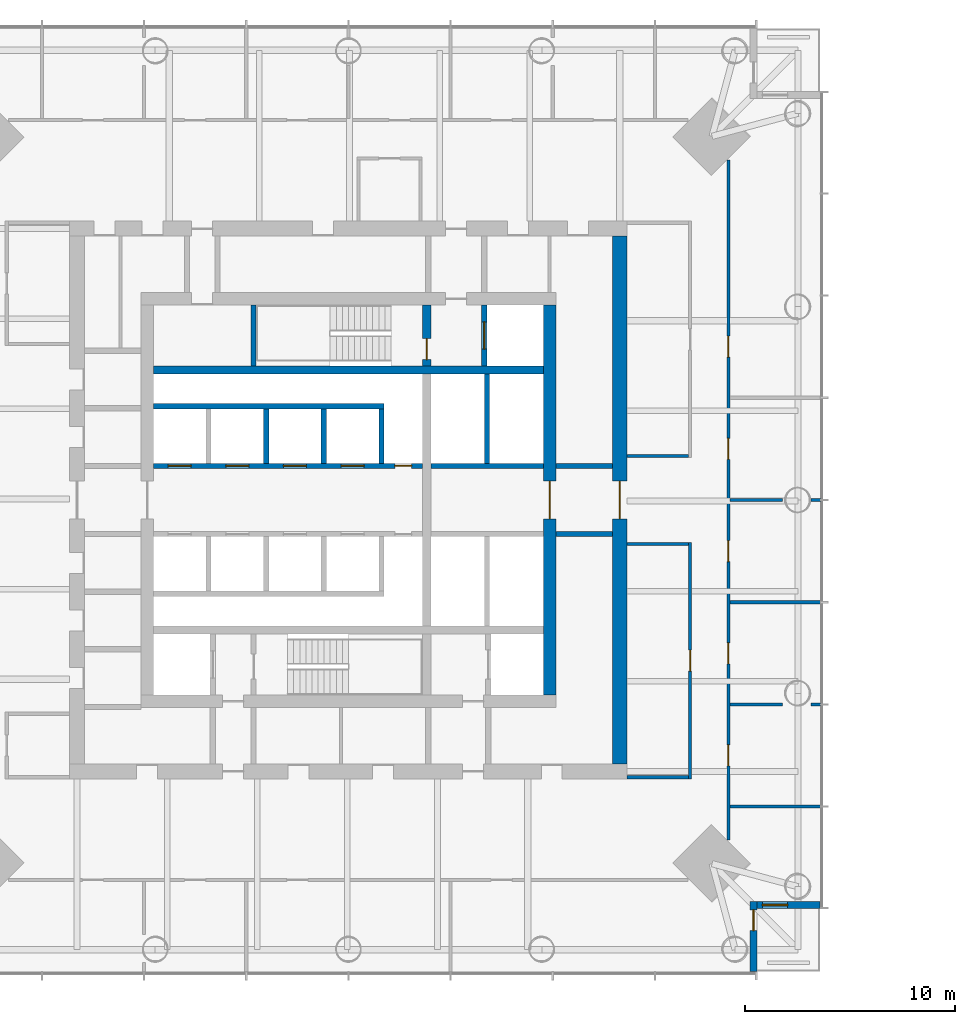
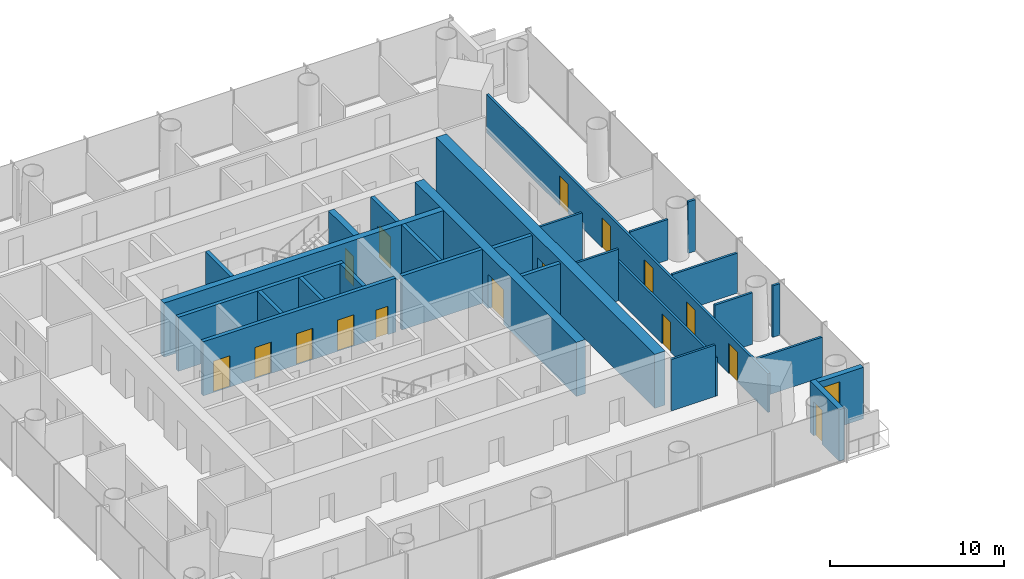
# One storey, part 10 of 20: 28 walls, 16 doors, 1 window, 17 openings.
"""IFC4 building model written with IfcOpenShell, lengths in metres."""

from ifc_helpers import new_model, si_unit, direction, frame, frame_2d, origin, place, context, subcontext, project, spatial, rectangle, extrude, material, layer, layer_set, type_object, element, fill, save


model = new_model("IFC4")

# Units and contexts
model_context = context("Model", 3, precision=1e-05, world=origin(), true_north=direction((0.0, 1.0)))
body_context = subcontext(model_context, "Body", "Model", "MODEL_VIEW")
ifc_project = project(units=[si_unit("LENGTHUNIT", "METRE"), si_unit("AREAUNIT", "SQUARE_METRE"), si_unit("VOLUMEUNIT", "CUBIC_METRE"), si_unit("PLANEANGLEUNIT", "RADIAN"), si_unit("MASSUNIT", "GRAM", prefix="KILO")], contexts=[model_context])

# Site, building, storey
site_placement = place(None, origin())
site = spatial("IfcSite", under=ifc_project, at=site_placement, CompositionType="ELEMENT")
building_placement = place(site_placement, origin())
building = spatial("IfcBuilding", under=site, at=building_placement, Name="Ostroluk Exchange", CompositionType="ELEMENT")
storey_placement = place(building_placement, frame((0.0, 0.0, 100.800048828125)))
storey = spatial("IfcBuildingStorey", under=building, at=storey_placement, Name="L25", CompositionType="ELEMENT", Elevation=100.800048828125)

# Walls
ifc_material_1 = material(Name="Concrete blockwork", Category="masonry")
ifc_layer_1 = layer(ifc_material_1, 0.25)
ifc_layer_set_1 = layer_set([ifc_layer_1], Name="Blockwork stair enclosure wall 250")
wall_type_1 = type_object("IfcWallType", Name="Blockwork stair enclosure wall 250", PredefinedType="SOLIDWALL", material=ifc_layer_set_1)
for number, where, z_axis, x_axis, name in (
    (1, (54.89990234375, 44.375, 0.0), (0.0, 0.0, 1.0), (1.0, 0.0, 0.0), "Lift lobby enclosure wall"),
    (2, (54.89990234375, 47.625, 0.0), (0.0, 0.0, 1.0), (1.0, 0.0, 0.0), "Lift lobby enclosure wall"),
):
    element("IfcWall", number, at=place(storey_placement, frame(where, z_axis=z_axis, x_axis=x_axis)), inside=storey, type_object=wall_type_1, Name=name, PredefinedType="SOLIDWALL", context=body_context, shape_type="SweptSolid", body=[
        extrude(rectangle(XDim=2.7001953125, YDim=0.25, at=frame_2d((1.35009765625, 0.0))), origin(), (0.0, 0.0, 1.0), 3.619873046875),
    ])
ifc_material_2 = material(Name="Concrete C50/60", Category="concrete")
ifc_layer_2 = layer(ifc_material_2, 0.39990234375)
ifc_layer_set_2 = layer_set([ifc_layer_2], Name="Core cross wall 400 C50/60")
wall_type_2 = type_object("IfcWallType", Name="Core cross wall 400 C50/60", PredefinedType="SHEAR", material=ifc_layer_set_2)
wall_1_placement = place(storey_placement, frame((35.699951171875, 52.199951171875, 0.0), z_axis=(0.0, 0.0, 1.0), x_axis=(1.0, 0.0, 0.0)))
element("IfcWall", 3, at=wall_1_placement, inside=storey, type_object=wall_type_2, Name="T1 core wall XN", PredefinedType="SHEAR", context=body_context, shape_type="SweptSolid", body=[
    extrude(rectangle(XDim=18.60009765625, YDim=0.39990234375, at=frame_2d((9.300048828125, 0.0))), origin(), (0.0, 0.0, 1.0), 3.800048828125),
])

# Wall, opening, door
wall_2_placement = place(storey_placement, frame((48.72998046875, 52.39990234375, 0.0), z_axis=(0.0, 0.0, 1.0), x_axis=(0.0, 1.0, 0.0)))
wall_2 = element("IfcWall", 4, at=wall_2_placement, inside=storey, type_object=wall_type_2, Name="T1 core wall YE3", PredefinedType="SHEAR", context=body_context, shape_type="SweptSolid", body=[
    extrude(rectangle(XDim=2.900146484375, YDim=0.39990234375, at=frame_2d((1.4501953125, 0.0))), origin(), (0.0, 0.0, 1.0), 3.800048828125),
])
opening_1_placement = place(wall_2_placement, frame((0.300048828125, 0.0, 0.0)))
opening_1 = element("IfcOpeningElement", 5, at=opening_1_placement, cuts=wall_2, Name="Opening FD60", PredefinedType="OPENING", context=body_context, shape_type="SweptSolid", body=[
    extrude(rectangle(XDim=1.0, YDim=2.10009765625, at=frame_2d((0.5, 1.050048828125))), frame((0.0, 0.2099609375, 0.0), z_axis=(0.0, -1.0, 0.0), x_axis=(1.0, 0.0, 0.0)), (0.0, 0.0, 1.0), 0.419921875),
])
ifc_material_3 = material(Name="Steel", Category="steel")
door_type_1 = type_object("IfcDoorType", Name="Fire door EI 60 1000 x 2100", OperationType="SINGLE_SWING_LEFT", PredefinedType="DOOR", material=ifc_material_3)
door_1_placement = place(opening_1_placement, origin())
door_1 = element("IfcDoor", 6, at=door_1_placement, inside=storey, type_object=door_type_1, Name="Stair T1-S2 door", OperationType="SINGLE_SWING_LEFT", OverallHeight=2.10009765625, OverallWidth=1.0, PredefinedType="DOOR", context=body_context, shape_type="SweptSolid", body=[
    extrude(rectangle(XDim=1.0, YDim=2.10009765625, at=frame_2d((0.5, 1.050048828125))), frame((0.0, 0.02490234375, 0.0), z_axis=(0.0, -1.0, 0.0), x_axis=(1.0, 0.0, 0.0)), (0.0, 0.0, 1.0), 0.050048828125),
])
fill(opening_1, door_1)

# Wall
ifc_material_4 = material(Name="Concrete C40/50", Category="concrete")
ifc_layer_3 = layer(ifc_material_4, 0.25)
ifc_layer_set_3 = layer_set([ifc_layer_3], Name="Core shaft wall 250")
wall_type_3 = type_object("IfcWallType", Name="Core shaft wall 250", PredefinedType="SHEAR", material=ifc_layer_set_3)
wall_3_placement = place(storey_placement, frame((40.47509765625, 52.39990234375, 0.0), z_axis=(0.0, 0.0, 1.0), x_axis=(0.0, 1.0, 0.0)))
element("IfcWall", 7, at=wall_3_placement, inside=storey, type_object=wall_type_3, Name="Stair shaft wall", PredefinedType="SHEAR", context=body_context, shape_type="SweptSolid", body=[
    extrude(rectangle(XDim=2.900146484375, YDim=0.25, at=frame_2d((1.4501953125, 0.0))), origin(), (0.0, 0.0, 1.0), 3.800048828125),
])

# Wall, opening, door
wall_4_placement = place(storey_placement, frame((51.47509765625, 52.39990234375, 0.0), z_axis=(0.0, 0.0, 1.0), x_axis=(0.0, 1.0, 0.0)))
wall_4 = element("IfcWall", 8, at=wall_4_placement, inside=storey, type_object=wall_type_3, Name="Firefighting lift shaft wall", PredefinedType="SHEAR", context=body_context, shape_type="SweptSolid", body=[
    extrude(rectangle(XDim=2.900146484375, YDim=0.25, at=frame_2d((1.4501953125, 0.0))), origin(), (0.0, 0.0, 1.0), 3.800048828125),
])
opening_2_placement = place(wall_4_placement, frame((0.800048828125, 0.0, 0.0)))
opening_2 = element("IfcOpeningElement", 9, at=opening_2_placement, cuts=wall_4, Name="Opening LD2", PredefinedType="OPENING", context=body_context, shape_type="SweptSolid", body=[
    extrude(rectangle(XDim=1.300048828125, YDim=2.199951171875, at=frame_2d((0.64990234375, 1.10009765625))), frame((0.0, 0.135009765625, 0.0), z_axis=(0.0, -1.0, 0.0), x_axis=(1.0, 0.0, 0.0)), (0.0, 0.0, 1.0), 0.27001953125),
])
ifc_material_5 = material(Name="Stainless steel", Category="steel")
door_type_2 = type_object("IfcDoorType", Name="Lift landing door E 60 1300 x 2200", OperationType="DOUBLE_DOOR_SLIDING", PredefinedType="DOOR", material=ifc_material_5)
door_2_placement = place(opening_2_placement, origin())
door_2 = element("IfcDoor", 10, at=door_2_placement, inside=storey, type_object=door_type_2, Name="Lift FL2 landing door", OperationType="DOUBLE_DOOR_SLIDING", OverallHeight=2.199951171875, OverallWidth=1.300048828125, PredefinedType="DOOR", context=body_context, shape_type="SweptSolid", body=[
    extrude(rectangle(XDim=1.300048828125, YDim=2.199951171875, at=frame_2d((0.64990234375, 1.10009765625))), frame((0.0, 0.02490234375, 0.0), z_axis=(0.0, -1.0, 0.0), x_axis=(1.0, 0.0, 0.0)), (0.0, 0.0, 1.0), 0.050048828125),
])
fill(opening_2, door_2)

# Walls
for number, where, z_axis, x_axis, name in (
    (11, (41.074951171875, 47.75, 0.0), (0.0, 0.0, 1.0), (0.0, 1.0, 0.0), "Lift shaft wall"),
    (12, (43.824951171875, 47.75, 0.0), (0.0, 0.0, 1.0), (0.0, 1.0, 0.0), "Lift shaft wall"),
    (13, (46.574951171875, 47.75, 0.0), (0.0, 0.0, 1.0), (0.0, 1.0, 0.0), "Lift shaft wall"),
):
    element("IfcWall", number, at=place(storey_placement, frame(where, z_axis=z_axis, x_axis=x_axis)), inside=storey, type_object=wall_type_3, Name=name, PredefinedType="SHEAR", context=body_context, shape_type="SweptSolid", body=[
        extrude(rectangle(XDim=2.60009765625, YDim=0.25, at=frame_2d((1.300048828125, 0.0))), origin(), (0.0, 0.0, 1.0), 3.800048828125),
    ])
wall_5_placement = place(storey_placement, frame((35.699951171875, 50.47509765625, 0.0), z_axis=(0.0, 0.0, 1.0), x_axis=(1.0, 0.0, 0.0)))
element("IfcWall", 14, at=wall_5_placement, inside=storey, type_object=wall_type_3, Name="Lift shaft wall", PredefinedType="SHEAR", context=body_context, shape_type="SweptSolid", body=[
    extrude(rectangle(XDim=11.0, YDim=0.25, at=frame_2d((5.5, 0.0))), origin(), (0.0, 0.0, 1.0), 3.800048828125),
])

# Wall, openings, doors
wall_6_placement = place(storey_placement, frame((35.699951171875, 47.625, 0.0), z_axis=(0.0, 0.0, 1.0), x_axis=(1.0, 0.0, 0.0)))
wall_6 = element("IfcWall", 15, at=wall_6_placement, inside=storey, type_object=wall_type_3, Name="Lift shaft front wall", PredefinedType="SHEAR", context=body_context, shape_type="SweptSolid", body=[
    extrude(rectangle(XDim=12.830078125, YDim=0.25, at=frame_2d((6.4150390625, 0.0))), origin(), (0.0, 0.0, 1.0), 3.800048828125),
])
opening_3_placement = place(wall_6_placement, frame((0.699951171875, 0.0, 0.0)))
opening_3 = element("IfcOpeningElement", 16, at=opening_3_placement, cuts=wall_6, Name="Opening LD", PredefinedType="OPENING", context=body_context, shape_type="SweptSolid", body=[
    extrude(rectangle(XDim=1.10009765625, YDim=2.199951171875, at=frame_2d((0.550048828125, 1.10009765625))), frame((0.0, 0.135009765625, 0.0), z_axis=(0.0, -1.0, 0.0), x_axis=(1.0, 0.0, 0.0)), (0.0, 0.0, 1.0), 0.27001953125),
])
opening_4_placement = place(wall_6_placement, frame((3.449951171875, 0.0, 0.0)))
opening_4 = element("IfcOpeningElement", 17, at=opening_4_placement, cuts=wall_6, Name="Opening LD", PredefinedType="OPENING", context=body_context, shape_type="SweptSolid", body=[
    extrude(rectangle(XDim=1.10009765625, YDim=2.199951171875, at=frame_2d((0.550048828125, 1.10009765625))), frame((0.0, 0.135009765625, 0.0), z_axis=(0.0, -1.0, 0.0), x_axis=(1.0, 0.0, 0.0)), (0.0, 0.0, 1.0), 0.27001953125),
])
opening_5_placement = place(wall_6_placement, frame((6.199951171875, 0.0, 0.0)))
opening_5 = element("IfcOpeningElement", 18, at=opening_5_placement, cuts=wall_6, Name="Opening LD", PredefinedType="OPENING", context=body_context, shape_type="SweptSolid", body=[
    extrude(rectangle(XDim=1.10009765625, YDim=2.199951171875, at=frame_2d((0.550048828125, 1.10009765625))), frame((0.0, 0.135009765625, 0.0), z_axis=(0.0, -1.0, 0.0), x_axis=(1.0, 0.0, 0.0)), (0.0, 0.0, 1.0), 0.27001953125),
])
opening_6_placement = place(wall_6_placement, frame((8.949951171875, 0.0, 0.0)))
opening_6 = element("IfcOpeningElement", 19, at=opening_6_placement, cuts=wall_6, Name="Opening LD", PredefinedType="OPENING", context=body_context, shape_type="SweptSolid", body=[
    extrude(rectangle(XDim=1.10009765625, YDim=2.199951171875, at=frame_2d((0.550048828125, 1.10009765625))), frame((0.0, 0.135009765625, 0.0), z_axis=(0.0, -1.0, 0.0), x_axis=(1.0, 0.0, 0.0)), (0.0, 0.0, 1.0), 0.27001953125),
])
opening_7_placement = place(wall_6_placement, frame((11.514892578125, 0.0, 0.0)))
opening_7 = element("IfcOpeningElement", 20, at=opening_7_placement, cuts=wall_6, Name="Opening RD60", PredefinedType="OPENING", context=body_context, shape_type="SweptSolid", body=[
    extrude(rectangle(XDim=0.800048828125, YDim=2.0, at=frame_2d((0.39990234375, 1.0))), frame((0.0, 0.135009765625, 0.0), z_axis=(0.0, -1.0, 0.0), x_axis=(1.0, 0.0, 0.0)), (0.0, 0.0, 1.0), 0.27001953125),
])
ifc_material_6 = material(Name="Stainless steel", Category="steel")
door_type_3 = type_object("IfcDoorType", Name="Lift landing door E 60 1100 x 2200", OperationType="DOUBLE_DOOR_SLIDING", PredefinedType="DOOR", material=ifc_material_6)
door_3_placement = place(opening_3_placement, origin())
door_3 = element("IfcDoor", 21, at=door_3_placement, inside=storey, type_object=door_type_3, Name="Lift PL-M1 landing door", OperationType="DOUBLE_DOOR_SLIDING", OverallHeight=2.199951171875, OverallWidth=1.10009765625, PredefinedType="DOOR", context=body_context, shape_type="SweptSolid", body=[
    extrude(rectangle(XDim=1.10009765625, YDim=2.199951171875, at=frame_2d((0.550048828125, 1.10009765625))), frame((0.0, 0.02490234375, 0.0), z_axis=(0.0, -1.0, 0.0), x_axis=(1.0, 0.0, 0.0)), (0.0, 0.0, 1.0), 0.050048828125),
])
fill(opening_3, door_3)
door_4_placement = place(opening_4_placement, origin())
door_4 = element("IfcDoor", 22, at=door_4_placement, inside=storey, type_object=door_type_3, Name="Lift PL-M2 landing door", OperationType="DOUBLE_DOOR_SLIDING", OverallHeight=2.199951171875, OverallWidth=1.10009765625, PredefinedType="DOOR", context=body_context, shape_type="SweptSolid", body=[
    extrude(rectangle(XDim=1.10009765625, YDim=2.199951171875, at=frame_2d((0.550048828125, 1.10009765625))), frame((0.0, 0.02490234375, 0.0), z_axis=(0.0, -1.0, 0.0), x_axis=(1.0, 0.0, 0.0)), (0.0, 0.0, 1.0), 0.050048828125),
])
fill(opening_4, door_4)
door_5_placement = place(opening_5_placement, origin())
door_5 = element("IfcDoor", 23, at=door_5_placement, inside=storey, type_object=door_type_3, Name="Lift PL-M3 landing door", OperationType="DOUBLE_DOOR_SLIDING", OverallHeight=2.199951171875, OverallWidth=1.10009765625, PredefinedType="DOOR", context=body_context, shape_type="SweptSolid", body=[
    extrude(rectangle(XDim=1.10009765625, YDim=2.199951171875, at=frame_2d((0.550048828125, 1.10009765625))), frame((0.0, 0.02490234375, 0.0), z_axis=(0.0, -1.0, 0.0), x_axis=(1.0, 0.0, 0.0)), (0.0, 0.0, 1.0), 0.050048828125),
])
fill(opening_5, door_5)
door_6_placement = place(opening_6_placement, origin())
door_6 = element("IfcDoor", 24, at=door_6_placement, inside=storey, type_object=door_type_3, Name="Lift PL-M4 landing door", OperationType="DOUBLE_DOOR_SLIDING", OverallHeight=2.199951171875, OverallWidth=1.10009765625, PredefinedType="DOOR", context=body_context, shape_type="SweptSolid", body=[
    extrude(rectangle(XDim=1.10009765625, YDim=2.199951171875, at=frame_2d((0.550048828125, 1.10009765625))), frame((0.0, 0.02490234375, 0.0), z_axis=(0.0, -1.0, 0.0), x_axis=(1.0, 0.0, 0.0)), (0.0, 0.0, 1.0), 0.050048828125),
])
fill(opening_6, door_6)
ifc_material_7 = material(Name="Steel", Category="steel")
door_type_4 = type_object("IfcDoorType", Name="Riser access door EI 60 800 x 2000", OperationType="SINGLE_SWING_LEFT", PredefinedType="DOOR", material=ifc_material_7)
door_7_placement = place(opening_7_placement, origin())
door_7 = element("IfcDoor", 25, at=door_7_placement, inside=storey, type_object=door_type_4, Name="Riser access door", OperationType="SINGLE_SWING_RIGHT", OverallHeight=2.0, OverallWidth=0.800048828125, PredefinedType="DOOR", context=body_context, shape_type="SweptSolid", body=[
    extrude(rectangle(XDim=0.800048828125, YDim=2.0, at=frame_2d((0.39990234375, 1.0))), frame((0.0, 0.02490234375, 0.0), z_axis=(0.0, -1.0, 0.0), x_axis=(1.0, 0.0, 0.0)), (0.0, 0.0, 1.0), 0.050048828125),
])
fill(opening_7, door_7)

# Walls
wall_7_placement = place(storey_placement, frame((51.614990234375, 47.75, 0.0), z_axis=(0.0, 0.0, 1.0), x_axis=(0.0, 1.0, 0.0)))
element("IfcWall", 26, at=wall_7_placement, inside=storey, type_object=wall_type_3, Name="Lift shaft wall", PredefinedType="SHEAR", context=body_context, shape_type="SweptSolid", body=[
    extrude(rectangle(XDim=4.25, YDim=0.25, at=frame_2d((2.125, 0.0))), origin(), (0.0, 0.0, 1.0), 3.800048828125),
])
wall_8_placement = place(storey_placement, frame((48.929931640625, 47.625, 0.0), z_axis=(0.0, 0.0, 1.0), x_axis=(1.0, 0.0, 0.0)))
element("IfcWall", 27, at=wall_8_placement, inside=storey, type_object=wall_type_3, Name="Lift shaft front wall", PredefinedType="SHEAR", context=body_context, shape_type="SweptSolid", body=[
    extrude(rectangle(XDim=5.3701171875, YDim=0.25, at=frame_2d((2.68505859375, 0.0))), origin(), (0.0, 0.0, 1.0), 3.800048828125),
])

# Wall, opening, door
ifc_material_8 = material(Name="Concrete C50/60", Category="concrete")
ifc_layer_4 = layer(ifc_material_8, 0.60009765625)
ifc_layer_set_4 = layer_set([ifc_layer_4], Name="Core wall 600 C50/60")
wall_type_4 = type_object("IfcWallType", Name="Core wall 600 C50/60", PredefinedType="SHEAR", material=ifc_layer_set_4)
wall_9_placement = place(storey_placement, frame((54.60009765625, 36.699951171875, 0.0), z_axis=(0.0, 0.0, 1.0), x_axis=(0.0, 1.0, 0.0)))
wall_9 = element("IfcWall", 28, at=wall_9_placement, inside=storey, type_object=wall_type_4, Name="T1 core wall E", PredefinedType="SHEAR", context=body_context, shape_type="SweptSolid", body=[
    extrude(rectangle(XDim=18.60009765625, YDim=0.60009765625, at=frame_2d((9.300048828125, 0.0))), origin(), (0.0, 0.0, 1.0), 3.800048828125),
])
opening_8_placement = place(wall_9_placement, frame((8.39990234375, 0.0, 0.0)))
opening_8 = element("IfcOpeningElement", 29, at=opening_8_placement, cuts=wall_9, Name="Opening FD30D", PredefinedType="OPENING", context=body_context, shape_type="SweptSolid", body=[
    extrude(rectangle(XDim=1.800048828125, YDim=2.39990234375, at=frame_2d((0.89990234375, 1.199951171875))), frame((0.0, 0.31005859375, 0.0), z_axis=(0.0, -1.0, 0.0), x_axis=(1.0, 0.0, 0.0)), (0.0, 0.0, 1.0), 0.6201171875),
])
ifc_material_9 = material(Name="Timber", Category="wood")
door_type_5 = type_object("IfcDoorType", Name="Lobby double door EI 30 1800 x 2400", OperationType="DOUBLE_DOOR_SINGLE_SWING", PredefinedType="DOOR", material=ifc_material_9)
door_8_placement = place(opening_8_placement, origin())
door_8 = element("IfcDoor", 30, at=door_8_placement, inside=storey, type_object=door_type_5, Name="Lift lobby doors", OperationType="DOUBLE_DOOR_SINGLE_SWING", OverallHeight=2.39990234375, OverallWidth=1.800048828125, PredefinedType="DOOR", context=body_context, shape_type="SweptSolid", body=[
    extrude(rectangle(XDim=1.800048828125, YDim=2.39990234375, at=frame_2d((0.89990234375, 1.199951171875))), frame((0.0, 0.02490234375, 0.0), z_axis=(0.0, -1.0, 0.0), x_axis=(1.0, 0.0, 0.0)), (0.0, 0.0, 1.0), 0.050048828125),
])
fill(opening_8, door_8)

ifc_material_10 = material(Name="Concrete C50/60", Category="concrete")
ifc_layer_5 = layer(ifc_material_10, 0.699951171875)
ifc_layer_set_5 = layer_set([ifc_layer_5], Name="Core wall 700 C50/60")
wall_type_5 = type_object("IfcWallType", Name="Core wall 700 C50/60", PredefinedType="SHEAR", material=ifc_layer_set_5)
wall_10_placement = place(storey_placement, frame((57.949951171875, 33.39990234375, 0.0), z_axis=(0.0, 0.0, 1.0), x_axis=(0.0, 1.0, 0.0)))
wall_10 = element("IfcWall", 31, at=wall_10_placement, inside=storey, type_object=wall_type_5, Name="T1 core wall RE", PredefinedType="SHEAR", context=body_context, shape_type="SweptSolid", body=[
    extrude(rectangle(XDim=25.2001953125, YDim=0.699951171875, at=frame_2d((12.60009765625, 0.0))), origin(), (0.0, 0.0, 1.0), 3.800048828125),
])
opening_9_placement = place(wall_10_placement, frame((11.699951171875, 0.0, 0.0)))
opening_9 = element("IfcOpeningElement", 32, at=opening_9_placement, cuts=wall_10, Name="Opening FD30D", PredefinedType="OPENING", context=body_context, shape_type="SweptSolid", body=[
    extrude(rectangle(XDim=1.800048828125, YDim=2.39990234375, at=frame_2d((0.89990234375, 1.199951171875))), frame((0.0, 0.35986328125, 0.0), z_axis=(0.0, -1.0, 0.0), x_axis=(1.0, 0.0, 0.0)), (0.0, 0.0, 1.0), 0.719970703125),
])
door_9_placement = place(opening_9_placement, origin())
door_9 = element("IfcDoor", 33, at=door_9_placement, inside=storey, type_object=door_type_5, Name="Lift lobby doors", OperationType="DOUBLE_DOOR_SINGLE_SWING", OverallHeight=2.39990234375, OverallWidth=1.800048828125, PredefinedType="DOOR", context=body_context, shape_type="SweptSolid", body=[
    extrude(rectangle(XDim=1.800048828125, YDim=2.39990234375, at=frame_2d((0.89990234375, 1.199951171875))), frame((0.0, 0.02490234375, 0.0), z_axis=(0.0, -1.0, 0.0), x_axis=(1.0, 0.0, 0.0)), (0.0, 0.0, 1.0), 0.050048828125),
])
fill(opening_9, door_9)

ifc_material_11 = material(Name="Limestone", Category="masonry")
ifc_layer_6 = layer(ifc_material_11, 0.35009765625)
ifc_layer_set_6 = layer_set([ifc_layer_6], Name="Limestone facade wall 350")
wall_type_6 = type_object("IfcWallType", Name="Limestone facade wall 350", PredefinedType="SOLIDWALL", material=ifc_layer_set_6)
wall_11_placement = place(storey_placement, frame((64.324951171875, 23.5, 0.0), z_axis=(0.0, 0.0, 1.0), x_axis=(0.0, 1.0, 0.0)))
wall_11 = element("IfcWall", 34, at=wall_11_placement, inside=storey, type_object=wall_type_6, Name="Office tower SE corner wall L25 a", PredefinedType="SOLIDWALL", context=body_context, shape_type="SweptSolid", body=[
    extrude(rectangle(XDim=3.35009765625, YDim=0.35009765625, at=frame_2d((1.675048828125, 0.0))), origin(), (0.0, 0.0, 1.0), 3.619873046875),
])
opening_10_placement = place(wall_11_placement, frame((1.949951171875, 0.0, 0.0)))
opening_10 = element("IfcOpeningElement", 35, at=opening_10_placement, cuts=wall_11, Name="Opening D-B1", PredefinedType="OPENING", context=body_context, shape_type="SweptSolid", body=[
    extrude(rectangle(XDim=1.0, YDim=2.39990234375, at=frame_2d((0.5, 1.199951171875))), frame((0.0, 0.18505859375, 0.0), z_axis=(0.0, -1.0, 0.0), x_axis=(1.0, 0.0, 0.0)), (0.0, 0.0, 1.0), 0.3701171875),
])
ifc_material_12 = material(Name="Bronze framed glazed door", Category="aluminium")
door_type_6 = type_object("IfcDoorType", Name="Balcony door 1000 x 2400", OperationType="SINGLE_SWING_LEFT", PredefinedType="DOOR", material=ifc_material_12)
door_10_placement = place(opening_10_placement, origin())
door_10 = element("IfcDoor", 36, at=door_10_placement, inside=storey, type_object=door_type_6, Name="Office tower SE balcony door L25", OperationType="SINGLE_SWING_RIGHT", OverallHeight=2.39990234375, OverallWidth=1.0, PredefinedType="DOOR", context=body_context, shape_type="SweptSolid", body=[
    extrude(rectangle(XDim=1.0, YDim=2.39990234375, at=frame_2d((0.5, 1.199951171875))), frame((0.0, 0.02490234375, 0.0), z_axis=(0.0, -1.0, 0.0), x_axis=(1.0, 0.0, 0.0)), (0.0, 0.0, 1.0), 0.050048828125),
])
fill(opening_10, door_10)

# Wall, opening, window
wall_12_placement = place(storey_placement, frame((64.5, 26.675048828125, 0.0), z_axis=(0.0, 0.0, 1.0), x_axis=(1.0, 0.0, 0.0)))
wall_12 = element("IfcWall", 37, at=wall_12_placement, inside=storey, type_object=wall_type_6, Name="Office tower SE corner wall L25 b", PredefinedType="SOLIDWALL", context=body_context, shape_type="SweptSolid", body=[
    extrude(rectangle(XDim=3.0, YDim=0.35009765625, at=frame_2d((1.5, 0.0))), origin(), (0.0, 0.0, 1.0), 3.619873046875),
])
opening_11_placement = place(wall_12_placement, frame((0.25, 0.0, 0.60009765625)))
opening_11 = element("IfcOpeningElement", 38, at=opening_11_placement, cuts=wall_12, Name="Opening WN-L1", PredefinedType="OPENING", context=body_context, shape_type="SweptSolid", body=[
    extrude(rectangle(XDim=1.199951171875, YDim=2.550048828125, at=frame_2d((0.60009765625, 1.27490234375))), frame((0.0, 0.18505859375, 0.0), z_axis=(0.0, -1.0, 0.0), x_axis=(1.0, 0.0, 0.0)), (0.0, 0.0, 1.0), 0.3701171875),
])
ifc_material_13 = material(Name="Laminated clear glass", Category="glass")
window_type = type_object("IfcWindowType", Name="Lancet window 1200 x 2550", PartitioningType="SINGLE_PANEL", PredefinedType="WINDOW", material=ifc_material_13)
window_placement = place(opening_11_placement, origin())
window = element("IfcWindow", 39, at=window_placement, inside=storey, type_object=window_type, Name="Office tower SE lancet window L25", OverallHeight=2.550048828125, OverallWidth=1.199951171875, PartitioningType="SINGLE_PANEL", PredefinedType="WINDOW", context=body_context, shape_type="SweptSolid", body=[
    extrude(rectangle(XDim=1.199951171875, YDim=2.550048828125, at=frame_2d((0.60009765625, 1.27490234375))), frame((0.0, 0.030029296875, 0.0), z_axis=(0.0, -1.0, 0.0), x_axis=(1.0, 0.0, 0.0)), (0.0, 0.0, 1.0), 0.06005859375),
])
fill(opening_11, window)

# Wall, opening, door
ifc_material_14 = material(Name="Gypsum plasterboard partition", Category="gypsum")
ifc_layer_7 = layer(ifc_material_14, 0.14990234375)
ifc_layer_set_7 = layer_set([ifc_layer_7], Name="Plasterboard partition 150")
wall_type_7 = type_object("IfcWallType", Name="Plasterboard partition 150", PredefinedType="PARTITIONING", material=ifc_layer_set_7)
wall_13_placement = place(storey_placement, frame((61.300048828125, 32.699951171875, 0.0), z_axis=(0.0, 0.0, 1.0), x_axis=(0.0, 1.0, 0.0)))
wall_13 = element("IfcWall", 40, at=wall_13_placement, inside=storey, type_object=wall_type_7, Name="Partition", PredefinedType="PARTITIONING", context=body_context, shape_type="SweptSolid", body=[
    extrude(rectangle(XDim=11.275146484375, YDim=0.14990234375, at=frame_2d((5.6376953125, 0.0))), origin(), (0.0, 0.0, 1.0), 2.719970703125),
])
opening_12_placement = place(wall_13_placement, frame((5.137451171875, 0.0, 0.0)))
opening_12 = element("IfcOpeningElement", 41, at=opening_12_placement, cuts=wall_13, Name="Opening D-03", PredefinedType="OPENING", context=body_context, shape_type="SweptSolid", body=[
    extrude(rectangle(XDim=1.0, YDim=2.10009765625, at=frame_2d((0.5, 1.050048828125))), frame((0.0, 0.0849609375, 0.0), z_axis=(0.0, -1.0, 0.0), x_axis=(1.0, 0.0, 0.0)), (0.0, 0.0, 1.0), 0.169921875),
])
ifc_material_15 = material(Name="Timber", Category="wood")
door_type_7 = type_object("IfcDoorType", Name="Internal door 1000 x 2100", OperationType="SINGLE_SWING_LEFT", PredefinedType="DOOR", material=ifc_material_15)
door_11_placement = place(opening_12_placement, origin())
door_11 = element("IfcDoor", 42, at=door_11_placement, inside=storey, type_object=door_type_7, Name="Interview room door", OperationType="SINGLE_SWING_RIGHT", OverallHeight=2.10009765625, OverallWidth=1.0, PredefinedType="DOOR", context=body_context, shape_type="SweptSolid", body=[
    extrude(rectangle(XDim=1.0, YDim=2.10009765625, at=frame_2d((0.5, 1.050048828125))), frame((0.0, 0.02490234375, 0.0), z_axis=(0.0, -1.0, 0.0), x_axis=(1.0, 0.0, 0.0)), (0.0, 0.0, 1.0), 0.050048828125),
])
fill(opening_12, door_11)

# Walls
for number, where, z_axis, x_axis, name in (
    (43, (58.300048828125, 32.77490234375, 0.0), (0.0, 0.0, 1.0), (1.0, 0.0, 0.0), "Partition"),
    (44, (58.300048828125, 43.89990234375, 0.0), (0.0, 0.0, 1.0), (1.0, 0.0, 0.0), "Partition"),
    (45, (58.300048828125, 48.10009765625, 0.0), (0.0, 0.0, 1.0), (1.0, 0.0, 0.0), "Partition"),
):
    element("IfcWall", number, at=place(storey_placement, frame(where, z_axis=z_axis, x_axis=x_axis)), inside=storey, type_object=wall_type_7, Name=name, PredefinedType="PARTITIONING", context=body_context, shape_type="SweptSolid", body=[
        extrude(rectangle(XDim=2.925048828125, YDim=0.14990234375, at=frame_2d((1.46240234375, 0.0))), origin(), (0.0, 0.0, 1.0), 3.619873046875),
    ])

# Wall, openings, doors
wall_14_placement = place(storey_placement, frame((63.125, 29.78857421875, 0.0), z_axis=(0.0, 0.0, 1.0), x_axis=(0.0, 1.0, 0.0)))
wall_14 = element("IfcWall", 46, at=wall_14_placement, inside=storey, type_object=wall_type_7, Name="Partition", PredefinedType="PARTITIONING", context=body_context, shape_type="SweptSolid", body=[
    extrude(rectangle(XDim=32.4228515625, YDim=0.14990234375, at=frame_2d((16.21142578125, 0.0))), origin(), (0.0, 0.0, 1.0), 2.719970703125),
])
opening_13_placement = place(wall_14_placement, frame((3.52392578125, 0.0, 0.0)))
opening_13 = element("IfcOpeningElement", 47, at=opening_13_placement, cuts=wall_14, Name="Opening D-03", PredefinedType="OPENING", context=body_context, shape_type="SweptSolid", body=[
    extrude(rectangle(XDim=1.0, YDim=2.10009765625, at=frame_2d((0.5, 1.050048828125))), frame((0.0, 0.0849609375, 0.0), z_axis=(0.0, -1.0, 0.0), x_axis=(1.0, 0.0, 0.0)), (0.0, 0.0, 1.0), 0.169921875),
])
opening_14_placement = place(wall_14_placement, frame((8.39892578125, 0.0, 0.0)))
opening_14 = element("IfcOpeningElement", 48, at=opening_14_placement, cuts=wall_14, Name="Opening D-03", PredefinedType="OPENING", context=body_context, shape_type="SweptSolid", body=[
    extrude(rectangle(XDim=1.0, YDim=2.10009765625, at=frame_2d((0.5, 1.050048828125))), frame((0.0, 0.0849609375, 0.0), z_axis=(0.0, -1.0, 0.0), x_axis=(1.0, 0.0, 0.0)), (0.0, 0.0, 1.0), 0.169921875),
])
opening_15_placement = place(wall_14_placement, frame((13.27392578125, 0.0, 0.0)))
opening_15 = element("IfcOpeningElement", 49, at=opening_15_placement, cuts=wall_14, Name="Opening D-03", PredefinedType="OPENING", context=body_context, shape_type="SweptSolid", body=[
    extrude(rectangle(XDim=1.0, YDim=2.10009765625, at=frame_2d((0.5, 1.050048828125))), frame((0.0, 0.0849609375, 0.0), z_axis=(0.0, -1.0, 0.0), x_axis=(1.0, 0.0, 0.0)), (0.0, 0.0, 1.0), 0.169921875),
])
opening_16_placement = place(wall_14_placement, frame((18.14892578125, 0.0, 0.0)))
opening_16 = element("IfcOpeningElement", 50, at=opening_16_placement, cuts=wall_14, Name="Opening D-03", PredefinedType="OPENING", context=body_context, shape_type="SweptSolid", body=[
    extrude(rectangle(XDim=1.0, YDim=2.10009765625, at=frame_2d((0.5, 1.050048828125))), frame((0.0, 0.0849609375, 0.0), z_axis=(0.0, -1.0, 0.0), x_axis=(1.0, 0.0, 0.0)), (0.0, 0.0, 1.0), 0.169921875),
])
opening_17_placement = place(wall_14_placement, frame((23.02392578125, 0.0, 0.0)))
opening_17 = element("IfcOpeningElement", 51, at=opening_17_placement, cuts=wall_14, Name="Opening D-03", PredefinedType="OPENING", context=body_context, shape_type="SweptSolid", body=[
    extrude(rectangle(XDim=1.0, YDim=2.10009765625, at=frame_2d((0.5, 1.050048828125))), frame((0.0, 0.0849609375, 0.0), z_axis=(0.0, -1.0, 0.0), x_axis=(1.0, 0.0, 0.0)), (0.0, 0.0, 1.0), 0.169921875),
])
door_12_placement = place(opening_13_placement, origin())
door_12 = element("IfcDoor", 52, at=door_12_placement, inside=storey, type_object=door_type_7, Name="Office door", OperationType="SINGLE_SWING_LEFT", OverallHeight=2.10009765625, OverallWidth=1.0, PredefinedType="DOOR", context=body_context, shape_type="SweptSolid", body=[
    extrude(rectangle(XDim=1.0, YDim=2.10009765625, at=frame_2d((0.5, 1.050048828125))), frame((0.0, 0.02490234375, 0.0), z_axis=(0.0, -1.0, 0.0), x_axis=(1.0, 0.0, 0.0)), (0.0, 0.0, 1.0), 0.050048828125),
])
fill(opening_13, door_12)
door_13_placement = place(opening_14_placement, origin())
door_13 = element("IfcDoor", 53, at=door_13_placement, inside=storey, type_object=door_type_7, Name="Meeting room door", OperationType="SINGLE_SWING_LEFT", OverallHeight=2.10009765625, OverallWidth=1.0, PredefinedType="DOOR", context=body_context, shape_type="SweptSolid", body=[
    extrude(rectangle(XDim=1.0, YDim=2.10009765625, at=frame_2d((0.5, 1.050048828125))), frame((0.0, 0.02490234375, 0.0), z_axis=(0.0, -1.0, 0.0), x_axis=(1.0, 0.0, 0.0)), (0.0, 0.0, 1.0), 0.050048828125),
])
fill(opening_14, door_13)
door_14_placement = place(opening_15_placement, origin())
door_14 = element("IfcDoor", 54, at=door_14_placement, inside=storey, type_object=door_type_7, Name="Pantry door", OperationType="SINGLE_SWING_LEFT", OverallHeight=2.10009765625, OverallWidth=1.0, PredefinedType="DOOR", context=body_context, shape_type="SweptSolid", body=[
    extrude(rectangle(XDim=1.0, YDim=2.10009765625, at=frame_2d((0.5, 1.050048828125))), frame((0.0, 0.02490234375, 0.0), z_axis=(0.0, -1.0, 0.0), x_axis=(1.0, 0.0, 0.0)), (0.0, 0.0, 1.0), 0.050048828125),
])
fill(opening_15, door_14)
door_15_placement = place(opening_16_placement, origin())
door_15 = element("IfcDoor", 55, at=door_15_placement, inside=storey, type_object=door_type_7, Name="Meeting room door", OperationType="SINGLE_SWING_RIGHT", OverallHeight=2.10009765625, OverallWidth=1.0, PredefinedType="DOOR", context=body_context, shape_type="SweptSolid", body=[
    extrude(rectangle(XDim=1.0, YDim=2.10009765625, at=frame_2d((0.5, 1.050048828125))), frame((0.0, 0.02490234375, 0.0), z_axis=(0.0, -1.0, 0.0), x_axis=(1.0, 0.0, 0.0)), (0.0, 0.0, 1.0), 0.050048828125),
])
fill(opening_16, door_15)
door_16_placement = place(opening_17_placement, origin())
door_16 = element("IfcDoor", 56, at=door_16_placement, inside=storey, type_object=door_type_7, Name="Office door", OperationType="SINGLE_SWING_RIGHT", OverallHeight=2.10009765625, OverallWidth=1.0, PredefinedType="DOOR", context=body_context, shape_type="SweptSolid", body=[
    extrude(rectangle(XDim=1.0, YDim=2.10009765625, at=frame_2d((0.5, 1.050048828125))), frame((0.0, 0.02490234375, 0.0), z_axis=(0.0, -1.0, 0.0), x_axis=(1.0, 0.0, 0.0)), (0.0, 0.0, 1.0), 0.050048828125),
])
fill(opening_17, door_16)

# Walls
wall_15_placement = place(storey_placement, frame((63.199951171875, 31.375, 0.0), z_axis=(0.0, 0.0, 1.0), x_axis=(1.0, 0.0, 0.0)))
element("IfcWall", 57, at=wall_15_placement, inside=storey, type_object=wall_type_7, Name="Partition", PredefinedType="PARTITIONING", context=body_context, shape_type="SweptSolid", body=[
    extrude(rectangle(XDim=4.340087890625, YDim=0.14990234375, at=frame_2d((2.169921875, 0.0))), origin(), (0.0, 0.0, 1.0), 2.820068359375),
])
wall_16_placement = place(storey_placement, frame((63.199951171875, 36.25, 0.0), z_axis=(0.0, 0.0, 1.0), x_axis=(1.0, 0.0, 0.0)))
element("IfcWall", 58, at=wall_16_placement, inside=storey, type_object=wall_type_7, Name="Partition", PredefinedType="PARTITIONING", context=body_context, shape_type="SweptSolid", body=[
    extrude(rectangle(XDim=2.51904296875, YDim=0.14990234375, at=frame_2d((1.259521484375, 0.0))), origin(), (0.0, 0.0, 1.0), 3.619873046875),
])
wall_17_placement = place(storey_placement, frame((67.0595703125, 36.25, 0.0), z_axis=(0.0, 0.0, 1.0), x_axis=(1.0, 0.0, 0.0)))
element("IfcWall", 59, at=wall_17_placement, inside=storey, type_object=wall_type_7, Name="Partition", PredefinedType="PARTITIONING", context=body_context, shape_type="SweptSolid", body=[
    extrude(rectangle(XDim=0.48046875, YDim=0.14990234375, at=frame_2d((0.240234375, 0.0))), origin(), (0.0, 0.0, 1.0), 3.619873046875),
])
wall_18_placement = place(storey_placement, frame((63.199951171875, 41.125, 0.0), z_axis=(0.0, 0.0, 1.0), x_axis=(1.0, 0.0, 0.0)))
element("IfcWall", 60, at=wall_18_placement, inside=storey, type_object=wall_type_7, Name="Partition", PredefinedType="PARTITIONING", context=body_context, shape_type="SweptSolid", body=[
    extrude(rectangle(XDim=4.340087890625, YDim=0.14990234375, at=frame_2d((2.169921875, 0.0))), origin(), (0.0, 0.0, 1.0), 2.820068359375),
])
wall_19_placement = place(storey_placement, frame((63.199951171875, 46.0, 0.0), z_axis=(0.0, 0.0, 1.0), x_axis=(1.0, 0.0, 0.0)))
element("IfcWall", 61, at=wall_19_placement, inside=storey, type_object=wall_type_7, Name="Partition", PredefinedType="PARTITIONING", context=body_context, shape_type="SweptSolid", body=[
    extrude(rectangle(XDim=2.51904296875, YDim=0.14990234375, at=frame_2d((1.259521484375, 0.0))), origin(), (0.0, 0.0, 1.0), 2.85791015625),
])
wall_20_placement = place(storey_placement, frame((67.0595703125, 46.0, 0.0), z_axis=(0.0, 0.0, 1.0), x_axis=(1.0, 0.0, 0.0)))
element("IfcWall", 62, at=wall_20_placement, inside=storey, type_object=wall_type_7, Name="Partition", PredefinedType="PARTITIONING", context=body_context, shape_type="SweptSolid", body=[
    extrude(rectangle(XDim=0.48046875, YDim=0.14990234375, at=frame_2d((0.240234375, 0.0))), origin(), (0.0, 0.0, 1.0), 3.619873046875),
])

save(model, "model.ifc")
